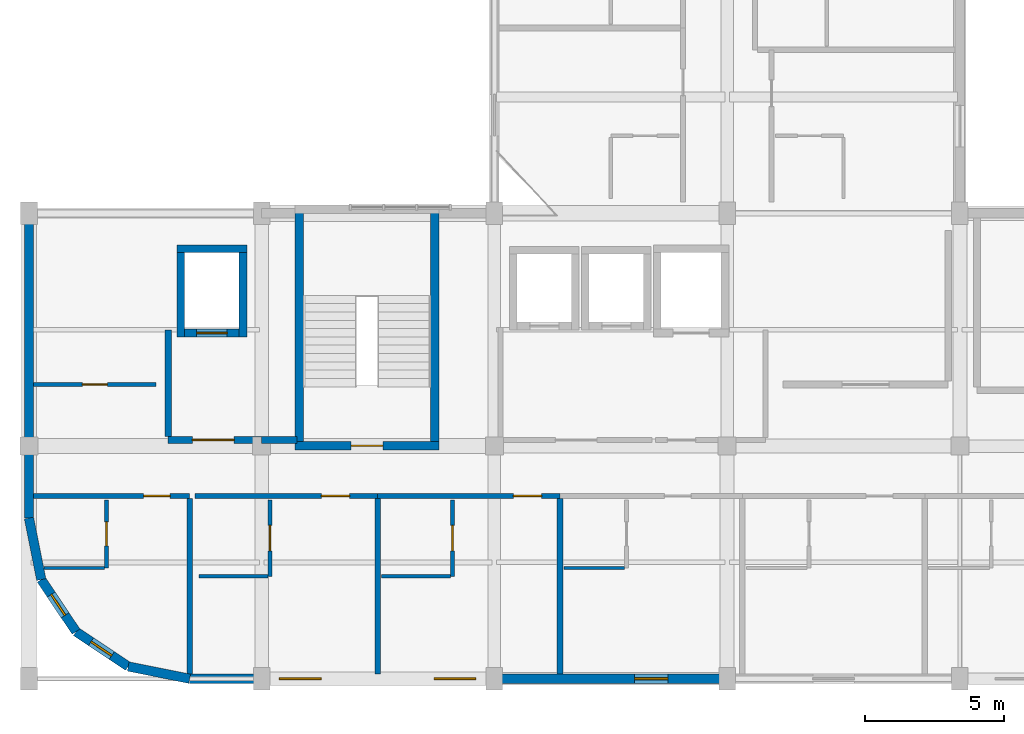
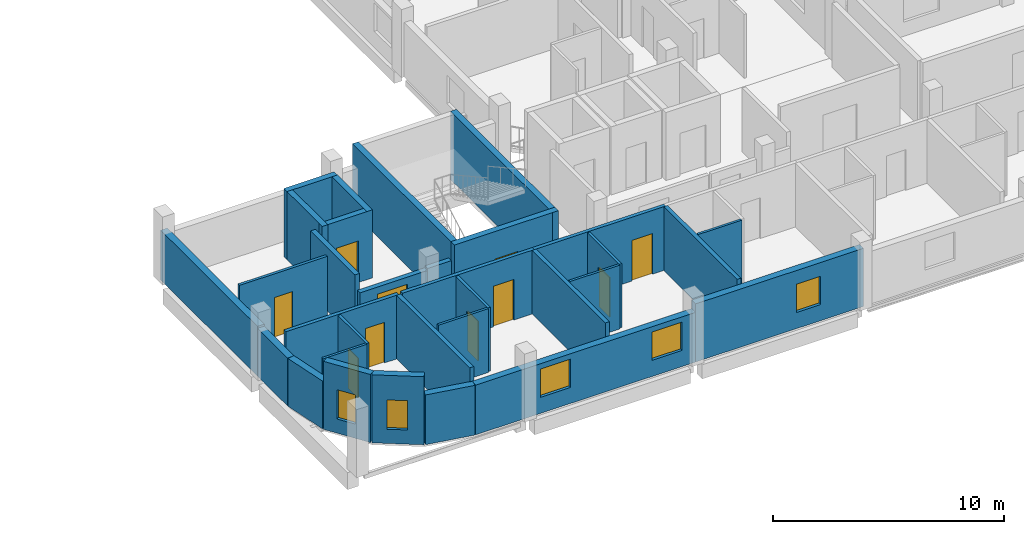
# One storey, part 12 of 26: 32 walls, 10 doors, 5 windows, 15 openings.
"""IFC4 building model written with IfcOpenShell, lengths in metres."""

from ifc_helpers import new_model, si_unit, derived_unit, direction, frame, frame_2d, origin, place, context, subcontext, project, spatial, rectangle, extrude, material, layer, layer_set, type_object, element, fill, save


model = new_model("IFC4")

# Units and contexts
model_context = context("Model", 3, precision=1e-05, world=origin(), true_north=direction((0.0, 1.0)))
body_context = subcontext(model_context, "Body", "Model", "MODEL_VIEW")
ifc_project = project(units=[si_unit("LENGTHUNIT", "METRE"), si_unit("AREAUNIT", "SQUARE_METRE"), si_unit("VOLUMEUNIT", "CUBIC_METRE"), si_unit("PLANEANGLEUNIT", "RADIAN"), si_unit("MASSUNIT", "GRAM", prefix="KILO"), derived_unit("THERMALTRANSMITTANCEUNIT", [(si_unit("POWERUNIT", "WATT"), 1), (si_unit("LENGTHUNIT", "METRE"), -2), (si_unit("THERMODYNAMICTEMPERATUREUNIT", "KELVIN"), -1)])], contexts=[model_context])

# Site, building, storey
site_placement = place(None, origin())
site = spatial("IfcSite", under=ifc_project, at=site_placement, CompositionType="ELEMENT")
building_placement = place(site_placement, origin())
building = spatial("IfcBuilding", under=site, at=building_placement, Name="Barrovel Congress Hotel", CompositionType="ELEMENT")
storey_placement = place(building_placement, frame((0.0, 0.0, 21.89990234375)))
storey = spatial("IfcBuildingStorey", under=building, at=storey_placement, Name="L05", CompositionType="ELEMENT", Elevation=21.89990234375)

# Wall
ifc_material_1 = material(Name="Fired Clay Brick Masonry", Category="masonry")
ifc_layer_1 = layer(ifc_material_1, 0.340087890625)
ifc_layer_set_1 = layer_set([ifc_layer_1], Name="Fired Clay Brick Masonry")
wall_type_1 = type_object("IfcWallType", Name="EW-BRK340", PredefinedType="STANDARD", material=ifc_layer_set_1)
wall_1_placement = place(storey_placement, frame((16.800048828125, 10.0, 0.0), z_axis=(0.0, 0.0, 1.0), x_axis=(0.195057908159, -0.980791727363, 0.0)))
element("IfcWall", 1, at=wall_1_placement, inside=storey, type_object=wall_type_1, Name="EW:L05:PROW-1", PredefinedType="STANDARD", context=body_context, shape_type="SweptSolid", body=[
    extrude(rectangle(XDim=2.262939453125, YDim=0.340087890625, at=frame_2d((1.13134765625, 0.0))), origin(), (0.0, 0.0, 1.0), 2.530029296875),
])

# Wall, opening, window
wall_2_placement = place(storey_placement, frame((17.241455078125, 7.780517578125, 0.0), z_axis=(0.0, 0.0, 1.0), x_axis=(0.555546297918, -0.831485604728, 0.0)))
wall_2 = element("IfcWall", 2, at=wall_2_placement, inside=storey, type_object=wall_type_1, Name="EW:L05:PROW-2", PredefinedType="STANDARD", context=body_context, shape_type="SweptSolid", body=[
    extrude(rectangle(XDim=2.26318359375, YDim=0.340087890625, at=frame_2d((1.131591796875, 0.0))), origin(), (0.0, 0.0, 1.0), 3.60009765625),
])
opening_1_placement = place(wall_2_placement, frame((0.64990234375, 0.0, 0.75)))
opening_1 = element("IfcOpeningElement", 3, at=opening_1_placement, cuts=wall_2, Name="Opening WN-11", PredefinedType="OPENING", context=body_context, shape_type="SweptSolid", body=[
    extrude(rectangle(XDim=0.89990234375, YDim=1.550048828125, at=frame_2d((0.449951171875, 0.77490234375))), frame((0.0, 0.18017578125, 0.0), z_axis=(0.0, -1.0, 0.0), x_axis=(1.0, 0.0, 0.0)), (0.0, 0.0, 1.0), 0.360107421875),
])
ifc_material_2 = material(Name="Double Low-E Insulated Glazing", Category="glass")
window_type_1 = type_object("IfcWindowType", Name="WIN-WN-11", PartitioningType="SINGLE_PANEL", PredefinedType="WINDOW", material=ifc_material_2)
window_1_placement = place(opening_1_placement, origin())
window_1 = element("IfcWindow", 4, at=window_1_placement, inside=storey, type_object=window_type_1, Name="WIN:L05:PROW-2", OverallHeight=1.550048828125, OverallWidth=0.89990234375, PartitioningType="SINGLE_PANEL", PredefinedType="WINDOW", context=body_context, shape_type="SweptSolid", body=[
    extrude(rectangle(XDim=0.89990234375, YDim=1.550048828125, at=frame_2d((0.449951171875, 0.77490234375))), frame((0.0, 0.030029296875, 0.0), z_axis=(0.0, -1.0, 0.0), x_axis=(1.0, 0.0, 0.0)), (0.0, 0.0, 1.0), 0.06005859375),
])
fill(opening_1, window_1)

wall_3_placement = place(storey_placement, frame((18.498779296875, 5.898681640625, 0.0), z_axis=(0.0, 0.0, 1.0), x_axis=(0.831502143458, -0.555521543618, 0.0)))
wall_3 = element("IfcWall", 5, at=wall_3_placement, inside=storey, type_object=wall_type_1, Name="EW:L05:PROW-3", PredefinedType="STANDARD", context=body_context, shape_type="SweptSolid", body=[
    extrude(rectangle(XDim=2.262939453125, YDim=0.340087890625, at=frame_2d((1.13134765625, 0.0))), origin(), (0.0, 0.0, 1.0), 3.60009765625),
])
opening_2_placement = place(wall_3_placement, frame((0.64990234375, 0.0, 0.75)))
opening_2 = element("IfcOpeningElement", 6, at=opening_2_placement, cuts=wall_3, Name="Opening WN-11", PredefinedType="OPENING", context=body_context, shape_type="SweptSolid", body=[
    extrude(rectangle(XDim=0.89990234375, YDim=1.550048828125, at=frame_2d((0.449951171875, 0.77490234375))), frame((0.0, 0.18017578125, 0.0), z_axis=(0.0, -1.0, 0.0), x_axis=(1.0, 0.0, 0.0)), (0.0, 0.0, 1.0), 0.360107421875),
])
window_2_placement = place(opening_2_placement, origin())
window_2 = element("IfcWindow", 7, at=window_2_placement, inside=storey, type_object=window_type_1, Name="WIN:L05:PROW-3", OverallHeight=1.550048828125, OverallWidth=0.89990234375, PartitioningType="SINGLE_PANEL", PredefinedType="WINDOW", context=body_context, shape_type="SweptSolid", body=[
    extrude(rectangle(XDim=0.89990234375, YDim=1.550048828125, at=frame_2d((0.449951171875, 0.77490234375))), frame((0.0, 0.030029296875, 0.0), z_axis=(0.0, -1.0, 0.0), x_axis=(1.0, 0.0, 0.0)), (0.0, 0.0, 1.0), 0.06005859375),
])
fill(opening_2, window_2)

# Walls
wall_4_placement = place(storey_placement, frame((20.38037109375, 4.6416015625, 0.0), z_axis=(0.0, 0.0, 1.0), x_axis=(0.98077519094, -0.195141038321, 0.0)))
element("IfcWall", 8, at=wall_4_placement, inside=storey, type_object=wall_type_1, Name="EW:L05:PROW-4", PredefinedType="STANDARD", context=body_context, shape_type="SweptSolid", body=[
    extrude(rectangle(XDim=2.26318359375, YDim=0.340087890625, at=frame_2d((1.131591796875, 0.0))), origin(), (0.0, 0.0, 1.0), 2.630126953125),
])
wall_5_placement = place(storey_placement, frame((16.800048828125, 21.0, 0.0), z_axis=(0.0, 0.0, 1.0), x_axis=(0.0, -1.0, 0.0)))
element("IfcWall", 9, at=wall_5_placement, inside=storey, type_object=wall_type_1, Name="EW:L05:HS-SW", PredefinedType="STANDARD", context=body_context, shape_type="SweptSolid", body=[
    extrude(rectangle(XDim=8.39990234375, YDim=0.340087890625, at=frame_2d((4.199951171875, 0.0))), origin(), (0.0, 0.0, 1.0), 2.630126953125),
])

# Wall, openings, windows
wall_6_placement = place(storey_placement, frame((22.60009765625, 4.199951171875, 0.0), z_axis=(0.0, 0.0, 1.0), x_axis=(1.0, 0.0, 0.0)))
wall_6 = element("IfcWall", 10, at=wall_6_placement, inside=storey, type_object=wall_type_1, Name="EW:L05:HS-S:P01", PredefinedType="STANDARD", context=body_context, shape_type="SweptSolid", body=[
    extrude(rectangle(XDim=11.0, YDim=0.340087890625, at=frame_2d((5.5, 0.0))), origin(), (0.0, 0.0, 1.0), 2.630126953125),
])
opening_3_placement = place(wall_6_placement, frame((3.24169921875, 0.0, 0.85009765625)))
opening_3 = element("IfcOpeningElement", 11, at=opening_3_placement, cuts=wall_6, Name="Opening WN-07", PredefinedType="OPENING", context=body_context, shape_type="SweptSolid", body=[
    extrude(rectangle(XDim=1.5, YDim=1.5, at=frame_2d((0.75, 0.75))), frame((0.0, 0.18017578125, 0.0), z_axis=(0.0, -1.0, 0.0), x_axis=(1.0, 0.0, 0.0)), (0.0, 0.0, 1.0), 0.360107421875),
])
opening_4_placement = place(wall_6_placement, frame((8.824951171875, 0.0, 0.85009765625)))
opening_4 = element("IfcOpeningElement", 12, at=opening_4_placement, cuts=wall_6, Name="Opening WN-07", PredefinedType="OPENING", context=body_context, shape_type="SweptSolid", body=[
    extrude(rectangle(XDim=1.5, YDim=1.5, at=frame_2d((0.75, 0.75))), frame((0.0, 0.18017578125, 0.0), z_axis=(0.0, -1.0, 0.0), x_axis=(1.0, 0.0, 0.0)), (0.0, 0.0, 1.0), 0.360107421875),
])
window_type_2 = type_object("IfcWindowType", Name="WIN-WN-07", PartitioningType="SINGLE_PANEL", PredefinedType="WINDOW", material=ifc_material_2)
window_3_placement = place(opening_3_placement, origin())
window_3 = element("IfcWindow", 13, at=window_3_placement, inside=storey, type_object=window_type_2, Name="WIN:L05:U02", OverallHeight=1.5, OverallWidth=1.5, PartitioningType="SINGLE_PANEL", PredefinedType="WINDOW", context=body_context, shape_type="SweptSolid", body=[
    extrude(rectangle(XDim=1.5, YDim=1.5, at=frame_2d((0.75, 0.75))), frame((0.0, 0.030029296875, 0.0), z_axis=(0.0, -1.0, 0.0), x_axis=(1.0, 0.0, 0.0)), (0.0, 0.0, 1.0), 0.06005859375),
])
fill(opening_3, window_3)
window_4_placement = place(opening_4_placement, origin())
window_4 = element("IfcWindow", 14, at=window_4_placement, inside=storey, type_object=window_type_2, Name="WIN:L05:U03", OverallHeight=1.5, OverallWidth=1.5, PartitioningType="SINGLE_PANEL", PredefinedType="WINDOW", context=body_context, shape_type="SweptSolid", body=[
    extrude(rectangle(XDim=1.5, YDim=1.5, at=frame_2d((0.75, 0.75))), frame((0.0, 0.030029296875, 0.0), z_axis=(0.0, -1.0, 0.0), x_axis=(1.0, 0.0, 0.0)), (0.0, 0.0, 1.0), 0.06005859375),
])
fill(opening_4, window_4)

# Wall, opening, window
wall_7_placement = place(storey_placement, frame((33.60009765625, 4.199951171875, 0.0), z_axis=(0.0, 0.0, 1.0), x_axis=(1.0, 0.0, 0.0)))
wall_7 = element("IfcWall", 15, at=wall_7_placement, inside=storey, type_object=wall_type_1, Name="EW:L05:HS-S:P02", PredefinedType="STANDARD", context=body_context, shape_type="SweptSolid", body=[
    extrude(rectangle(XDim=8.39990234375, YDim=0.340087890625, at=frame_2d((4.199951171875, 0.0))), origin(), (0.0, 0.0, 1.0), 3.0751953125),
])
opening_5_placement = place(wall_7_placement, frame((5.058349609375, 0.0, 0.85009765625)))
opening_5 = element("IfcOpeningElement", 16, at=opening_5_placement, cuts=wall_7, Name="Opening WN-06", PredefinedType="OPENING", context=body_context, shape_type="SweptSolid", body=[
    extrude(rectangle(XDim=1.199951171875, YDim=1.5, at=frame_2d((0.60009765625, 0.75))), frame((0.0, 0.18017578125, 0.0), z_axis=(0.0, -1.0, 0.0), x_axis=(1.0, 0.0, 0.0)), (0.0, 0.0, 1.0), 0.360107421875),
])
window_type_3 = type_object("IfcWindowType", Name="WIN-WN-06", PartitioningType="SINGLE_PANEL", PredefinedType="WINDOW", material=ifc_material_2)
window_5_placement = place(opening_5_placement, origin())
window_5 = element("IfcWindow", 17, at=window_5_placement, inside=storey, type_object=window_type_3, Name="WIN:L05:U04", OverallHeight=1.5, OverallWidth=1.199951171875, PartitioningType="SINGLE_PANEL", PredefinedType="WINDOW", context=body_context, shape_type="SweptSolid", body=[
    extrude(rectangle(XDim=1.199951171875, YDim=1.5, at=frame_2d((0.60009765625, 0.75))), frame((0.0, 0.030029296875, 0.0), z_axis=(0.0, -1.0, 0.0), x_axis=(1.0, 0.0, 0.0)), (0.0, 0.0, 1.0), 0.06005859375),
])
fill(opening_5, window_5)

# Wall
wall_8_placement = place(storey_placement, frame((16.800048828125, 12.60009765625, 0.0), z_axis=(0.0, 0.0, 1.0), x_axis=(0.0, -1.0, 0.0)))
element("IfcWall", 18, at=wall_8_placement, inside=storey, type_object=wall_type_1, Name="EW:L05:HS-SW:P02", PredefinedType="STANDARD", context=body_context, shape_type="SweptSolid", body=[
    extrude(rectangle(XDim=2.60009765625, YDim=0.340087890625, at=frame_2d((1.300048828125, 0.0))), origin(), (0.0, 0.0, 1.0), 2.530029296875),
])

# Wall, opening, door
ifc_material_3 = material(Name="Gypsum Acoustic Stud", Category="gypsum")
ifc_layer_2 = layer(ifc_material_3, 0.179931640625)
ifc_layer_set_2 = layer_set([ifc_layer_2], Name="Gypsum Acoustic Stud")
wall_type_2 = type_object("IfcWallType", Name="PW-ACU-180", PredefinedType="PARTITIONING", material=ifc_layer_set_2)
wall_9_placement = place(storey_placement, frame((16.969970703125, 10.800048828125, 0.0), z_axis=(0.0, 0.0, 1.0), x_axis=(1.0, 0.0, 0.0)))
wall_9 = element("IfcWall", 19, at=wall_9_placement, inside=storey, type_object=wall_type_2, Name="PW:L05:U01:COR", PredefinedType="PARTITIONING", context=body_context, shape_type="SweptSolid", body=[
    extrude(rectangle(XDim=5.630126953125, YDim=0.179931640625, at=frame_2d((2.81494140625, 0.0))), origin(), (0.0, 0.0, 1.0), 3.375),
])
opening_6_placement = place(wall_9_placement, frame((3.965087890625, 0.0, 0.0)))
opening_6 = element("IfcOpeningElement", 20, at=opening_6_placement, cuts=wall_9, Name="Opening ID-HTL", PredefinedType="OPENING", context=body_context, shape_type="SweptSolid", body=[
    extrude(rectangle(XDim=0.9599609375, YDim=2.14990234375, at=frame_2d((0.47998046875, 1.074951171875))), frame((0.0, 0.10009765625, 0.0), z_axis=(0.0, -1.0, 0.0), x_axis=(1.0, 0.0, 0.0)), (0.0, 0.0, 1.0), 0.199951171875),
])
ifc_material_4 = material(Name="Solid Oak Acoustic Timber Door", Category="wood")
door_type_1 = type_object("IfcDoorType", Name="IDR-ID-HTL", OperationType="NOTDEFINED", PredefinedType="DOOR", material=ifc_material_4)
door_1_placement = place(opening_6_placement, origin())
door_1 = element("IfcDoor", 21, at=door_1_placement, inside=storey, type_object=door_type_1, Name="DR:L05:U01:ENT", OperationType="SINGLE_SWING_RIGHT", OverallHeight=2.14990234375, OverallWidth=0.9599609375, PredefinedType="DOOR", context=body_context, shape_type="SweptSolid", body=[
    extrude(rectangle(XDim=0.9599609375, YDim=2.14990234375, at=frame_2d((0.47998046875, 1.074951171875))), frame((0.0, 0.02490234375, 0.0), z_axis=(0.0, -1.0, 0.0), x_axis=(1.0, 0.0, 0.0)), (0.0, 0.0, 1.0), 0.050048828125),
])
fill(opening_6, door_1)

wall_10_placement = place(storey_placement, frame((22.800048828125, 10.800048828125, 0.0), z_axis=(0.0, 0.0, 1.0), x_axis=(1.0, 0.0, 0.0)))
wall_10 = element("IfcWall", 22, at=wall_10_placement, inside=storey, type_object=wall_type_2, Name="PW:L05:U02:COR", PredefinedType="PARTITIONING", context=body_context, shape_type="SweptSolid", body=[
    extrude(rectangle(XDim=6.583251953125, YDim=0.179931640625, at=frame_2d((3.29150390625, 0.0))), origin(), (0.0, 0.0, 1.0), 3.375),
])
opening_7_placement = place(wall_10_placement, frame((4.552490234375, 0.0, 0.0)))
opening_7 = element("IfcOpeningElement", 23, at=opening_7_placement, cuts=wall_10, Name="Opening ID-ACC", PredefinedType="OPENING", context=body_context, shape_type="SweptSolid", body=[
    extrude(rectangle(XDim=1.02001953125, YDim=2.14990234375, at=frame_2d((0.510009765625, 1.074951171875))), frame((0.0, 0.10009765625, 0.0), z_axis=(0.0, -1.0, 0.0), x_axis=(1.0, 0.0, 0.0)), (0.0, 0.0, 1.0), 0.199951171875),
])
door_type_2 = type_object("IfcDoorType", Name="IDR-ID-ACC", OperationType="NOTDEFINED", PredefinedType="DOOR", material=ifc_material_4)
door_2_placement = place(opening_7_placement, origin())
door_2 = element("IfcDoor", 24, at=door_2_placement, inside=storey, type_object=door_type_2, Name="DR:L05:U02:ENT", OperationType="SINGLE_SWING_RIGHT", OverallHeight=2.14990234375, OverallWidth=1.02001953125, PredefinedType="DOOR", context=body_context, shape_type="SweptSolid", body=[
    extrude(rectangle(XDim=1.02001953125, YDim=2.14990234375, at=frame_2d((0.510009765625, 1.074951171875))), frame((0.0, 0.02490234375, 0.0), z_axis=(0.0, -1.0, 0.0), x_axis=(1.0, 0.0, 0.0)), (0.0, 0.0, 1.0), 0.050048828125),
])
fill(opening_7, door_2)

wall_11_placement = place(storey_placement, frame((29.38330078125, 10.800048828125, 0.0), z_axis=(0.0, 0.0, 1.0), x_axis=(1.0, 0.0, 0.0)))
wall_11 = element("IfcWall", 25, at=wall_11_placement, inside=storey, type_object=wall_type_2, Name="PW:L05:U03:COR", PredefinedType="PARTITIONING", context=body_context, shape_type="SweptSolid", body=[
    extrude(rectangle(XDim=6.58349609375, YDim=0.179931640625, at=frame_2d((3.291748046875, 0.0))), origin(), (0.0, 0.0, 1.0), 3.375),
])
opening_8_placement = place(wall_11_placement, frame((4.902587890625, 0.0, 0.0)))
opening_8 = element("IfcOpeningElement", 26, at=opening_8_placement, cuts=wall_11, Name="Opening ID-ACC", PredefinedType="OPENING", context=body_context, shape_type="SweptSolid", body=[
    extrude(rectangle(XDim=1.02001953125, YDim=2.14990234375, at=frame_2d((0.510009765625, 1.074951171875))), frame((0.0, 0.10009765625, 0.0), z_axis=(0.0, -1.0, 0.0), x_axis=(1.0, 0.0, 0.0)), (0.0, 0.0, 1.0), 0.199951171875),
])
door_3_placement = place(opening_8_placement, origin())
door_3 = element("IfcDoor", 27, at=door_3_placement, inside=storey, type_object=door_type_2, Name="DR:L05:U03:ENT", OperationType="SINGLE_SWING_RIGHT", OverallHeight=2.14990234375, OverallWidth=1.02001953125, PredefinedType="DOOR", context=body_context, shape_type="SweptSolid", body=[
    extrude(rectangle(XDim=1.02001953125, YDim=2.14990234375, at=frame_2d((0.510009765625, 1.074951171875))), frame((0.0, 0.02490234375, 0.0), z_axis=(0.0, -1.0, 0.0), x_axis=(1.0, 0.0, 0.0)), (0.0, 0.0, 1.0), 0.050048828125),
])
fill(opening_8, door_3)

# Walls
ifc_layer_3 = layer(ifc_material_3, 0.1201171875)
ifc_layer_set_3 = layer_set([ifc_layer_3], Name="Gypsum Acoustic Stud")
wall_type_3 = type_object("IfcWallType", Name="PW-INT-120", PredefinedType="PARTITIONING", material=ifc_layer_set_3)
wall_12_placement = place(storey_placement, frame((17.340087890625, 8.199951171875, 0.0), z_axis=(0.0, 0.0, 1.0), x_axis=(1.0, 0.0, 0.0)))
element("IfcWall", 28, at=wall_12_placement, inside=storey, type_object=wall_type_3, Name="PW:L05:U01:B2", PredefinedType="PARTITIONING", context=body_context, shape_type="SweptSolid", body=[
    extrude(rectangle(XDim=2.18994140625, YDim=0.1201171875, at=frame_2d((1.094970703125, 0.0))), origin(), (0.0, 0.0, 1.0), 3.375),
])
for number, where, z_axis, x_axis, name in (
    (29, (22.93994140625, 7.89990234375, 0.0), (0.0, 0.0, 1.0), (1.0, 0.0, 0.0), "PW:L05:U02:B2"),
    (30, (29.523193359375, 7.89990234375, 0.0), (0.0, 0.0, 1.0), (1.0, 0.0, 0.0), "PW:L05:U03:B2"),
):
    element("IfcWall", number, at=place(storey_placement, frame(where, z_axis=z_axis, x_axis=x_axis)), inside=storey, type_object=wall_type_3, Name=name, PredefinedType="PARTITIONING", context=body_context, shape_type="SweptSolid", body=[
        extrude(rectangle(XDim=2.489990234375, YDim=0.1201171875, at=frame_2d((1.2451171875, 0.0))), origin(), (0.0, 0.0, 1.0), 3.375),
    ])
wall_13_placement = place(storey_placement, frame((36.106689453125, 8.199951171875, 0.0), z_axis=(0.0, 0.0, 1.0), x_axis=(1.0, 0.0, 0.0)))
element("IfcWall", 31, at=wall_13_placement, inside=storey, type_object=wall_type_3, Name="PW:L05:U04:B2", PredefinedType="PARTITIONING", context=body_context, shape_type="SweptSolid", body=[
    extrude(rectangle(XDim=2.18994140625, YDim=0.1201171875, at=frame_2d((1.094970703125, 0.0))), origin(), (0.0, 0.0, 1.0), 3.375),
])
ifc_layer_4 = layer(ifc_material_1, 0.199951171875)
ifc_layer_set_4 = layer_set([ifc_layer_4], Name="Fired Clay Brick Masonry")
wall_type_4 = type_object("IfcWallType", Name="PW-MAS-200", PredefinedType="PARTITIONING", material=ifc_layer_set_4)
for number, where, z_axis, x_axis, name in (
    (32, (22.60009765625, 4.3701171875, 0.0), (0.0, 0.0, 1.0), (0.0, 1.0, 0.0), "PW:L05:U01:DEM"),
    (33, (29.38330078125, 4.3701171875, 0.0), (0.0, 0.0, 1.0), (0.0, 1.0, 0.0), "PW:L05:U02:DEM"),
    (34, (35.966796875, 4.3701171875, 0.0), (0.0, 0.0, 1.0), (0.0, 1.0, 0.0), "PW:L05:U03:DEM"),
):
    element("IfcWall", number, at=place(storey_placement, frame(where, z_axis=z_axis, x_axis=x_axis)), inside=storey, type_object=wall_type_4, Name=name, PredefinedType="PARTITIONING", context=body_context, shape_type="SweptSolid", body=[
        extrude(rectangle(XDim=6.33984375, YDim=0.199951171875, at=frame_2d((3.169921875, 0.0))), origin(), (0.0, 0.0, 1.0), 3.375),
    ])

# Wall, opening, door
ifc_layer_5 = layer(ifc_material_1, 0.239990234375)
ifc_layer_set_5 = layer_set([ifc_layer_5], Name="Fired Clay Brick Masonry")
wall_type_5 = type_object("IfcWallType", Name="PW-MAS-240", PredefinedType="PARTITIONING", material=ifc_layer_set_5)
wall_14_placement = place(storey_placement, frame((21.820068359375, 12.820068359375, 0.0), z_axis=(0.0, 0.0, 1.0), x_axis=(1.0, 0.0, 0.0)))
wall_14 = element("IfcWall", 35, at=wall_14_placement, inside=storey, type_object=wall_type_5, Name="RW:SP:L05:FFL-1:S", PredefinedType="PARTITIONING", context=body_context, shape_type="SweptSolid", body=[
    extrude(rectangle(XDim=3.3798828125, YDim=0.239990234375, at=frame_2d((1.68994140625, 0.0))), origin(), (0.0, 0.0, 1.0), 2.530029296875),
])
opening_9_placement = place(wall_14_placement, frame((0.8798828125, 0.0, 0.0)))
opening_9 = element("IfcOpeningElement", 36, at=opening_9_placement, cuts=wall_14, Name="Opening ID-FFL", PredefinedType="OPENING", context=body_context, shape_type="SweptSolid", body=[
    extrude(rectangle(XDim=1.5, YDim=2.14990234375, at=frame_2d((0.75, 1.074951171875))), frame((0.0, 0.1298828125, 0.0), z_axis=(0.0, -1.0, 0.0), x_axis=(1.0, 0.0, 0.0)), (0.0, 0.0, 1.0), 0.260009765625),
])
ifc_material_5 = material(Name="Painted Hollow-Metal Steel Door", Category="steel")
door_type_3 = type_object("IfcDoorType", Name="IDR-ID-FFL", OperationType="NOTDEFINED", PredefinedType="DOOR", material=ifc_material_5)
door_4_placement = place(opening_9_placement, origin())
door_4 = element("IfcDoor", 37, at=door_4_placement, inside=storey, type_object=door_type_3, Name="RD:SP:L05:FFL-1", OperationType="DOUBLE_DOOR_SINGLE_SWING", OverallHeight=2.14990234375, OverallWidth=1.5, PredefinedType="DOOR", context=body_context, shape_type="SweptSolid", body=[
    extrude(rectangle(XDim=1.5, YDim=2.14990234375, at=frame_2d((0.75, 1.074951171875))), frame((0.0, 0.02490234375, 0.0), z_axis=(0.0, -1.0, 0.0), x_axis=(1.0, 0.0, 0.0)), (0.0, 0.0, 1.0), 0.050048828125),
])
fill(opening_9, door_4)

# Walls
wall_15_placement = place(storey_placement, frame((21.820068359375, 12.93994140625, 0.0), z_axis=(0.0, 0.0, 1.0), x_axis=(0.0, 1.0, 0.0)))
element("IfcWall", 38, at=wall_15_placement, inside=storey, type_object=wall_type_5, Name="RW:SP:L05:FFL-1:W", PredefinedType="PARTITIONING", context=body_context, shape_type="SweptSolid", body=[
    extrude(rectangle(XDim=3.840087890625, YDim=0.239990234375, at=frame_2d((1.919921875, 0.0))), origin(), (0.0, 0.0, 1.0), 3.375),
])
wall_16_placement = place(storey_placement, frame((25.199951171875, 12.820068359375, 0.0), z_axis=(0.0, 0.0, 1.0), x_axis=(1.0, 0.0, 0.0)))
element("IfcWall", 39, at=wall_16_placement, inside=storey, type_object=wall_type_5, Name="RW:SP:L05:FFL-1:S:P02", PredefinedType="PARTITIONING", context=body_context, shape_type="SweptSolid", body=[
    extrude(rectangle(XDim=1.280029296875, YDim=0.239990234375, at=frame_2d((0.64013671875, 0.0))), origin(), (0.0, 0.0, 1.0), 2.630126953125),
])

# Wall, opening, door
ifc_material_6 = material(Name="Gypsum Moisture Board", Category="gypsum")
ifc_layer_6 = layer(ifc_material_6, 0.139892578125)
ifc_layer_set_6 = layer_set([ifc_layer_6], Name="Gypsum Moisture Board")
wall_type_6 = type_object("IfcWallType", Name="PW-WET-140", PredefinedType="PARTITIONING", material=ifc_layer_set_6)
wall_17_placement = place(storey_placement, frame((19.60009765625, 8.199951171875, 0.0), z_axis=(0.0, 0.0, 1.0), x_axis=(0.0, 1.0, 0.0)))
wall_17 = element("IfcWall", 40, at=wall_17_placement, inside=storey, type_object=wall_type_6, Name="PW:L05:U01:B1", PredefinedType="PARTITIONING", context=body_context, shape_type="SweptSolid", body=[
    extrude(rectangle(XDim=2.4599609375, YDim=0.139892578125, at=frame_2d((1.22998046875, 0.0))), origin(), (0.0, 0.0, 1.0), 3.375),
])
opening_10_placement = place(wall_17_placement, frame((0.800048828125, 0.0, 0.0)))
opening_10 = element("IfcOpeningElement", 41, at=opening_10_placement, cuts=wall_17, Name="Opening ID-ENS", PredefinedType="OPENING", context=body_context, shape_type="SweptSolid", body=[
    extrude(rectangle(XDim=0.860107421875, YDim=2.10009765625, at=frame_2d((0.43017578125, 1.050048828125))), frame((0.0, 0.080078125, 0.0), z_axis=(0.0, -1.0, 0.0), x_axis=(1.0, 0.0, 0.0)), (0.0, 0.0, 1.0), 0.159912109375),
])
ifc_material_7 = material(Name="Lacquered Timber Moisture Door", Category="wood")
door_type_4 = type_object("IfcDoorType", Name="IDR-ID-ENS", OperationType="NOTDEFINED", PredefinedType="DOOR", material=ifc_material_7)
door_5_placement = place(opening_10_placement, origin())
door_5 = element("IfcDoor", 42, at=door_5_placement, inside=storey, type_object=door_type_4, Name="DR:L05:U01:ENS", OperationType="SINGLE_SWING_LEFT", OverallHeight=2.10009765625, OverallWidth=0.860107421875, PredefinedType="DOOR", context=body_context, shape_type="SweptSolid", body=[
    extrude(rectangle(XDim=0.860107421875, YDim=2.10009765625, at=frame_2d((0.43017578125, 1.050048828125))), frame((0.0, 0.02490234375, 0.0), z_axis=(0.0, -1.0, 0.0), x_axis=(1.0, 0.0, 0.0)), (0.0, 0.0, 1.0), 0.050048828125),
])
fill(opening_10, door_5)

wall_18_placement = place(storey_placement, frame((25.5, 7.89990234375, 0.0), z_axis=(0.0, 0.0, 1.0), x_axis=(0.0, 1.0, 0.0)))
wall_18 = element("IfcWall", 43, at=wall_18_placement, inside=storey, type_object=wall_type_6, Name="PW:L05:U02:B1", PredefinedType="PARTITIONING", context=body_context, shape_type="SweptSolid", body=[
    extrude(rectangle(XDim=2.760009765625, YDim=0.139892578125, at=frame_2d((1.3798828125, 0.0))), origin(), (0.0, 0.0, 1.0), 3.375),
])
opening_11_placement = place(wall_18_placement, frame((0.919921875, 0.0, 0.0)))
opening_11 = element("IfcOpeningElement", 44, at=opening_11_placement, cuts=wall_18, Name="Opening ID-EA2", PredefinedType="OPENING", context=body_context, shape_type="SweptSolid", body=[
    extrude(rectangle(XDim=0.919921875, YDim=2.10009765625, at=frame_2d((0.4599609375, 1.050048828125))), frame((0.0, 0.080078125, 0.0), z_axis=(0.0, -1.0, 0.0), x_axis=(1.0, 0.0, 0.0)), (0.0, 0.0, 1.0), 0.159912109375),
])
door_type_5 = type_object("IfcDoorType", Name="IDR-ID-EA2", OperationType="NOTDEFINED", PredefinedType="DOOR", material=ifc_material_7)
door_6_placement = place(opening_11_placement, origin())
door_6 = element("IfcDoor", 45, at=door_6_placement, inside=storey, type_object=door_type_5, Name="DR:L05:U02:ENS", OperationType="SINGLE_SWING_LEFT", OverallHeight=2.10009765625, OverallWidth=0.919921875, PredefinedType="DOOR", context=body_context, shape_type="SweptSolid", body=[
    extrude(rectangle(XDim=0.919921875, YDim=2.10009765625, at=frame_2d((0.4599609375, 1.050048828125))), frame((0.0, 0.02490234375, 0.0), z_axis=(0.0, -1.0, 0.0), x_axis=(1.0, 0.0, 0.0)), (0.0, 0.0, 1.0), 0.050048828125),
])
fill(opening_11, door_6)

wall_19_placement = place(storey_placement, frame((32.083251953125, 7.89990234375, 0.0), z_axis=(0.0, 0.0, 1.0), x_axis=(0.0, 1.0, 0.0)))
wall_19 = element("IfcWall", 46, at=wall_19_placement, inside=storey, type_object=wall_type_6, Name="PW:L05:U03:B1", PredefinedType="PARTITIONING", context=body_context, shape_type="SweptSolid", body=[
    extrude(rectangle(XDim=2.760009765625, YDim=0.139892578125, at=frame_2d((1.3798828125, 0.0))), origin(), (0.0, 0.0, 1.0), 3.375),
])
opening_12_placement = place(wall_19_placement, frame((0.919921875, 0.0, 0.0)))
opening_12 = element("IfcOpeningElement", 47, at=opening_12_placement, cuts=wall_19, Name="Opening ID-EA2", PredefinedType="OPENING", context=body_context, shape_type="SweptSolid", body=[
    extrude(rectangle(XDim=0.919921875, YDim=2.10009765625, at=frame_2d((0.4599609375, 1.050048828125))), frame((0.0, 0.080078125, 0.0), z_axis=(0.0, -1.0, 0.0), x_axis=(1.0, 0.0, 0.0)), (0.0, 0.0, 1.0), 0.159912109375),
])
door_7_placement = place(opening_12_placement, origin())
door_7 = element("IfcDoor", 48, at=door_7_placement, inside=storey, type_object=door_type_5, Name="DR:L05:U03:ENS", OperationType="SINGLE_SWING_LEFT", OverallHeight=2.10009765625, OverallWidth=0.919921875, PredefinedType="DOOR", context=body_context, shape_type="SweptSolid", body=[
    extrude(rectangle(XDim=0.919921875, YDim=2.10009765625, at=frame_2d((0.4599609375, 1.050048828125))), frame((0.0, 0.02490234375, 0.0), z_axis=(0.0, -1.0, 0.0), x_axis=(1.0, 0.0, 0.0)), (0.0, 0.0, 1.0), 0.050048828125),
])
fill(opening_12, door_7)

wall_20_placement = place(storey_placement, frame((16.969970703125, 14.820068359375, 0.0), z_axis=(0.0, 0.0, 1.0), x_axis=(1.0, 0.0, 0.0)))
wall_20 = element("IfcWall", 49, at=wall_20_placement, inside=storey, type_object=wall_type_6, Name="RW:SP:L05:HKP:S", PredefinedType="PARTITIONING", context=body_context, shape_type="SweptSolid", body=[
    extrude(rectangle(XDim=4.409912109375, YDim=0.139892578125, at=frame_2d((2.205078125, 0.0))), origin(), (0.0, 0.0, 1.0), 3.375),
])
opening_13_placement = place(wall_20_placement, frame((1.7548828125, 0.0, 0.0)))
opening_13 = element("IfcOpeningElement", 50, at=opening_13_placement, cuts=wall_20, Name="Opening ID-WC1", PredefinedType="OPENING", context=body_context, shape_type="SweptSolid", body=[
    extrude(rectangle(XDim=0.89990234375, YDim=2.1201171875, at=frame_2d((0.449951171875, 1.06005859375))), frame((0.0, 0.080078125, 0.0), z_axis=(0.0, -1.0, 0.0), x_axis=(1.0, 0.0, 0.0)), (0.0, 0.0, 1.0), 0.159912109375),
])
door_type_6 = type_object("IfcDoorType", Name="IDR-ID-WC1", OperationType="NOTDEFINED", PredefinedType="DOOR", material=ifc_material_7)
door_8_placement = place(opening_13_placement, origin())
door_8 = element("IfcDoor", 51, at=door_8_placement, inside=storey, type_object=door_type_6, Name="RD:SP:L05:HKP", OperationType="SINGLE_SWING_LEFT", OverallHeight=2.1201171875, OverallWidth=0.89990234375, PredefinedType="DOOR", context=body_context, shape_type="SweptSolid", body=[
    extrude(rectangle(XDim=0.89990234375, YDim=2.1201171875, at=frame_2d((0.449951171875, 1.06005859375))), frame((0.0, 0.02490234375, 0.0), z_axis=(0.0, -1.0, 0.0), x_axis=(1.0, 0.0, 0.0)), (0.0, 0.0, 1.0), 0.050048828125),
])
fill(opening_13, door_8)

ifc_material_8 = material(Name="Concrete C40", Category="concrete")
ifc_layer_7 = layer(ifc_material_8, 0.280029296875)
ifc_layer_set_7 = layer_set([ifc_layer_7], Name="Concrete C40")
wall_type_7 = type_object("IfcWallType", Name="SW-C40-280", PredefinedType="SHEAR", material=ifc_layer_set_7)
wall_21_placement = place(storey_placement, frame((22.139892578125, 16.679931640625, 0.0), z_axis=(0.0, 0.0, 1.0), x_axis=(1.0, 0.0, 0.0)))
wall_21 = element("IfcWall", 52, at=wall_21_placement, inside=storey, type_object=wall_type_7, Name="LSH:FL-1:L05:S", PredefinedType="SHEAR", context=body_context, shape_type="SweptSolid", body=[
    extrude(rectangle(XDim=2.52001953125, YDim=0.280029296875, at=frame_2d((1.260009765625, 0.0))), origin(), (0.0, 0.0, 1.0), 3.60009765625),
])
opening_14_placement = place(wall_21_placement, frame((0.7099609375, 0.0, 0.0)))
opening_14 = element("IfcOpeningElement", 53, at=opening_14_placement, cuts=wall_21, Name="Opening LD-FF", PredefinedType="OPENING", context=body_context, shape_type="SweptSolid", body=[
    extrude(rectangle(XDim=1.10009765625, YDim=2.199951171875, at=frame_2d((0.550048828125, 1.10009765625))), frame((0.0, 0.14990234375, 0.0), z_axis=(0.0, -1.0, 0.0), x_axis=(1.0, 0.0, 0.0)), (0.0, 0.0, 1.0), 0.300048828125),
])
ifc_material_9 = material(Name="Brushed Stainless Steel", Category="steel")
door_type_7 = type_object("IfcDoorType", Name="IDR-LD-FF", OperationType="NOTDEFINED", PredefinedType="DOOR", material=ifc_material_9)
door_9_placement = place(opening_14_placement, origin())
door_9 = element("IfcDoor", 54, at=door_9_placement, inside=storey, type_object=door_type_7, Name="Lift Landing Door LD-FL-1-L05", OperationType="SLIDING_TO_LEFT", OverallHeight=2.199951171875, OverallWidth=1.10009765625, PredefinedType="DOOR", context=body_context, shape_type="SweptSolid", body=[
    extrude(rectangle(XDim=1.10009765625, YDim=2.199951171875, at=frame_2d((0.550048828125, 1.10009765625))), frame((0.0, 0.02490234375, 0.0), z_axis=(0.0, -1.0, 0.0), x_axis=(1.0, 0.0, 0.0)), (0.0, 0.0, 1.0), 0.050048828125),
])
fill(opening_14, door_9)

# Walls
wall_22_placement = place(storey_placement, frame((24.52001953125, 16.5400390625, 0.0), z_axis=(0.0, 0.0, 1.0), x_axis=(0.0, 1.0, 0.0)))
element("IfcWall", 55, at=wall_22_placement, inside=storey, type_object=wall_type_7, Name="LSH:FL-1:L05:E", PredefinedType="SHEAR", context=body_context, shape_type="SweptSolid", body=[
    extrude(rectangle(XDim=3.320068359375, YDim=0.280029296875, at=frame_2d((1.66015625, 0.0))), origin(), (0.0, 0.0, 1.0), 3.60009765625),
])
wall_23_placement = place(storey_placement, frame((24.659912109375, 19.719970703125, 0.0), z_axis=(0.0, 0.0, 1.0), x_axis=(-1.0, 0.0, 0.0)))
element("IfcWall", 56, at=wall_23_placement, inside=storey, type_object=wall_type_7, Name="LSH:FL-1:L05:N", PredefinedType="SHEAR", context=body_context, shape_type="SweptSolid", body=[
    extrude(rectangle(XDim=2.52001953125, YDim=0.280029296875, at=frame_2d((1.260009765625, 0.0))), origin(), (0.0, 0.0, 1.0), 3.60009765625),
])
wall_24_placement = place(storey_placement, frame((22.280029296875, 19.860107421875, 0.0), z_axis=(0.0, 0.0, 1.0), x_axis=(0.0, -1.0, 0.0)))
element("IfcWall", 57, at=wall_24_placement, inside=storey, type_object=wall_type_7, Name="LSH:FL-1:L05:W", PredefinedType="SHEAR", context=body_context, shape_type="SweptSolid", body=[
    extrude(rectangle(XDim=3.320068359375, YDim=0.280029296875, at=frame_2d((1.66015625, 0.0))), origin(), (0.0, 0.0, 1.0), 3.60009765625),
])

# Wall, opening, door
ifc_layer_8 = layer(ifc_material_8, 0.300048828125)
ifc_layer_set_8 = layer_set([ifc_layer_8], Name="Concrete C40")
wall_type_8 = type_object("IfcWallType", Name="SW-C40-300", PredefinedType="SHEAR", material=ifc_layer_set_8)
wall_25_placement = place(storey_placement, frame((26.39990234375, 12.610107421875, 0.0), z_axis=(0.0, 0.0, 1.0), x_axis=(1.0, 0.0, 0.0)))
wall_25 = element("IfcWall", 58, at=wall_25_placement, inside=storey, type_object=wall_type_8, Name="SHW:XS-01:L05:S", PredefinedType="SHEAR", context=body_context, shape_type="SweptSolid", body=[
    extrude(rectangle(XDim=5.2001953125, YDim=0.300048828125, at=frame_2d((2.60009765625, 0.0))), origin(), (0.0, 0.0, 1.0), 3.60009765625),
])
opening_15_placement = place(wall_25_placement, frame((2.02490234375, 0.0, 0.0)))
opening_15 = element("IfcOpeningElement", 59, at=opening_15_placement, cuts=wall_25, Name="Opening ID-ST1", PredefinedType="OPENING", context=body_context, shape_type="SweptSolid", body=[
    extrude(rectangle(XDim=1.14990234375, YDim=2.14990234375, at=frame_2d((0.574951171875, 1.074951171875))), frame((0.0, 0.16015625, 0.0), z_axis=(0.0, -1.0, 0.0), x_axis=(1.0, 0.0, 0.0)), (0.0, 0.0, 1.0), 0.320068359375),
])
door_type_8 = type_object("IfcDoorType", Name="IDR-ID-ST1", OperationType="NOTDEFINED", PredefinedType="DOOR", material=ifc_material_5)
door_10_placement = place(opening_15_placement, origin())
door_10 = element("IfcDoor", 60, at=door_10_placement, inside=storey, type_object=door_type_8, Name="Stair Core Fire Door XS-01-L05", OperationType="SINGLE_SWING_LEFT", OverallHeight=2.14990234375, OverallWidth=1.14990234375, PredefinedType="DOOR", context=body_context, shape_type="SweptSolid", body=[
    extrude(rectangle(XDim=1.14990234375, YDim=2.14990234375, at=frame_2d((0.574951171875, 1.074951171875))), frame((0.0, 0.02490234375, 0.0), z_axis=(0.0, -1.0, 0.0), x_axis=(1.0, 0.0, 0.0)), (0.0, 0.0, 1.0), 0.050048828125),
])
fill(opening_15, door_10)

# Walls
for number, where, z_axis, x_axis, name in (
    (61, (31.449951171875, 12.4599609375, 0.0), (0.0, 0.0, 1.0), (0.0, 1.0, 0.0), "SHW:XS-01:L05:E"),
    (62, (26.550048828125, 21.300048828125, 0.0), (0.0, 0.0, 1.0), (0.0, -1.0, 0.0), "SHW:XS-01:L05:W"),
):
    element("IfcWall", number, at=place(storey_placement, frame(where, z_axis=z_axis, x_axis=x_axis)), inside=storey, type_object=wall_type_8, Name=name, PredefinedType="SHEAR", context=body_context, shape_type="SweptSolid", body=[
        extrude(rectangle(XDim=8.840087890625, YDim=0.300048828125, at=frame_2d((4.419921875, 0.0))), origin(), (0.0, 0.0, 1.0), 3.60009765625),
    ])

save(model, "model.ifc")
